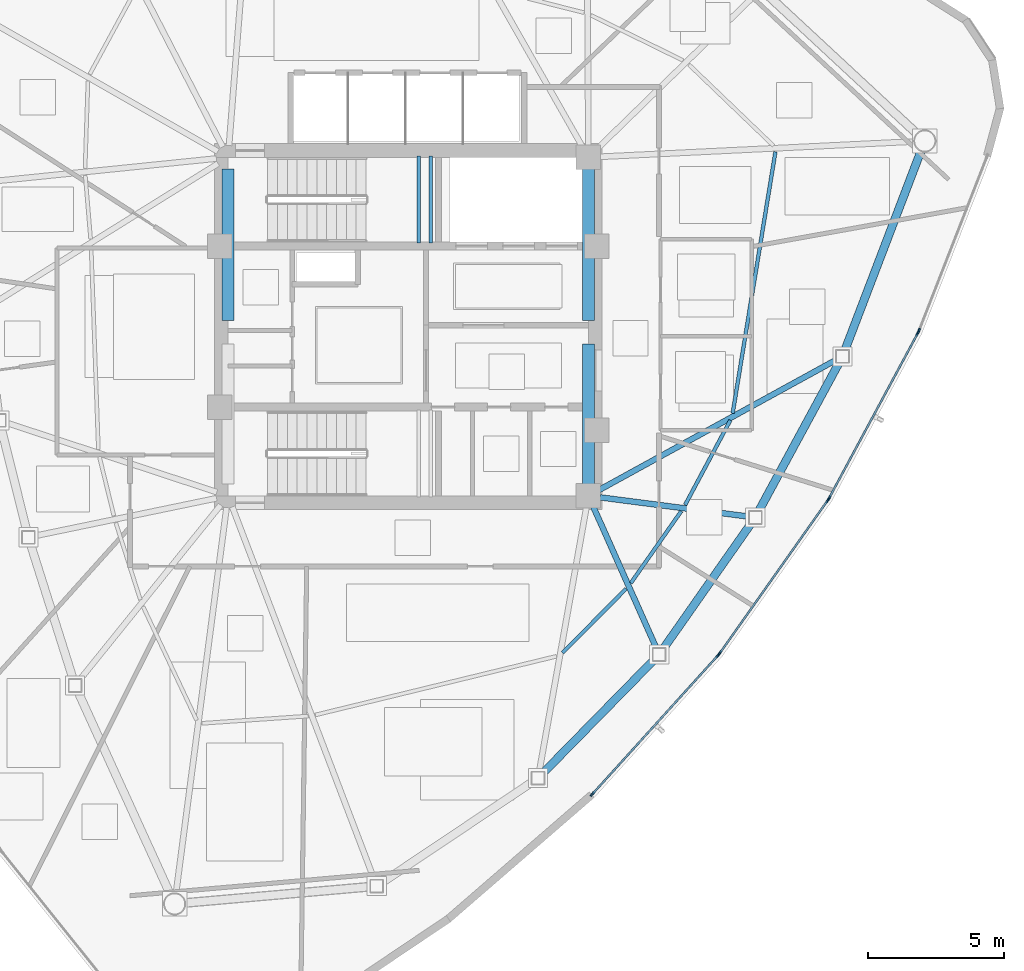
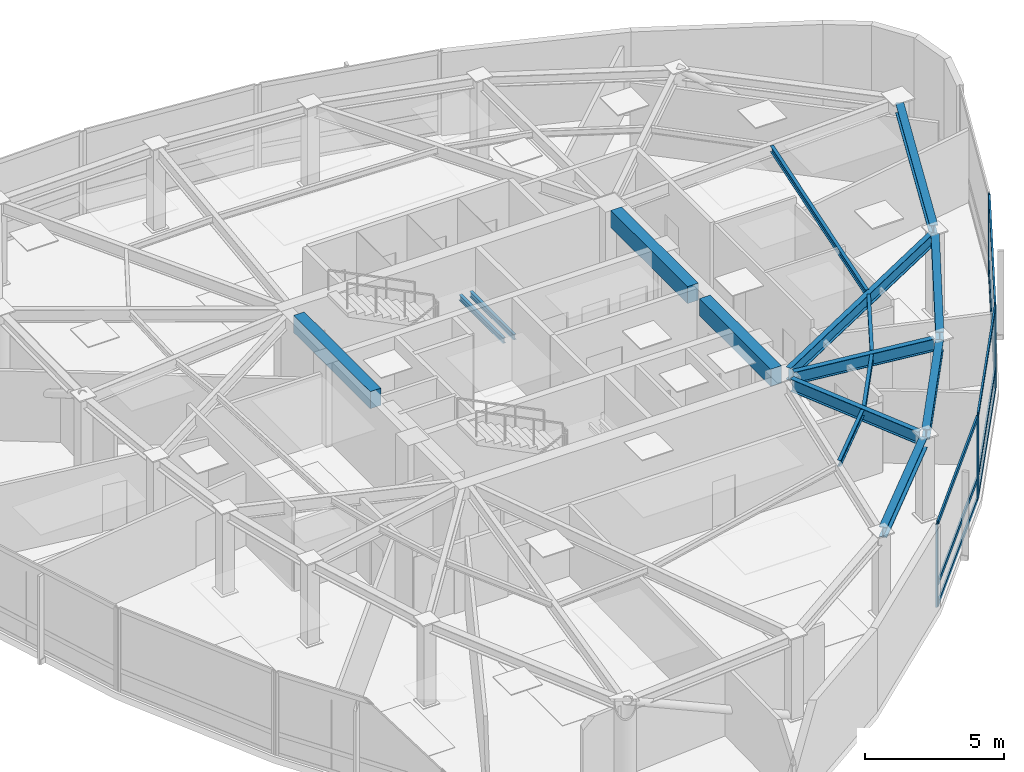
# One storey, part 4 of 14: 16 beams, 16 members, 4 elements without a shape of their own.
"""IFC4 building model written with IfcOpenShell, lengths in metres."""

from ifc_helpers import new_model, si_unit, direction, frame, origin, origin_2d, place, context, subcontext, project, spatial, rectangle, hollow_rectangle, i_section, extrude, source, transform, mapped, material, layer, layer_set, material_profile, profile_set, type_object, type_shapes, element, aggregate, save


model = new_model("IFC4")

# Units and contexts
model_context = context("Model", 3, precision=1e-05, world=origin(), true_north=direction((0.0, 1.0)))
body_context = subcontext(model_context, "Body", "Model", "MODEL_VIEW")
ifc_project = project(units=[si_unit("LENGTHUNIT", "METRE"), si_unit("AREAUNIT", "SQUARE_METRE"), si_unit("VOLUMEUNIT", "CUBIC_METRE"), si_unit("PLANEANGLEUNIT", "RADIAN"), si_unit("MASSUNIT", "GRAM", prefix="KILO")], contexts=[model_context])

# Site, building, storey
site_placement = place(None, origin())
site = spatial("IfcSite", under=ifc_project, at=site_placement, CompositionType="ELEMENT")
building_placement = place(site_placement, origin())
building = spatial("IfcBuilding", under=site, at=building_placement, Name="Tavelor Broadcast Tower", CompositionType="ELEMENT")
storey_placement = place(building_placement, frame((0.0, 0.0, 257.699951171875)))
storey = spatial("IfcBuildingStorey", under=building, at=storey_placement, Name="L61", CompositionType="ELEMENT", Elevation=257.699951171875)

# Beams
ifc_material_1 = material(Name="Concrete C40/50", Category="concrete")
ifc_material_profile_1 = material_profile(ifc_material_1, rectangle(XDim=0.449951171875, YDim=0.75, at=origin_2d()), Name="RC 450x750")
ifc_profile_set_1 = profile_set([ifc_material_profile_1], Name="Concrete C40/50")
beam_type_1 = type_object("IfcBeamType", Name="Basement Core Trim Beam 450x750", PredefinedType="BEAM", material=ifc_profile_set_1)
for number, where, z_axis, x_axis, name in (
    (1, (43.39990234375, 45.23193359375, 3.275146484375), (0.0, 1.0, 0.0), (-1.0, 0.0, 0.0), "L61 Core West-N Tie Girder"),
    (2, (56.60009765625, 45.23193359375, 3.275146484375), (0.0, 1.0, 0.0), (-1.0, 0.0, 0.0), "L61 Core East-N Tie Girder"),
):
    element("IfcBeam", number, at=place(storey_placement, frame(where, z_axis=z_axis, x_axis=x_axis)), inside=storey, type_object=beam_type_1, Name=name, PredefinedType="BEAM", context=body_context, shape_type="SweptSolid", body=[
        extrude(rectangle(XDim=0.449951171875, YDim=0.75, at=origin_2d()), origin(), (0.0, 0.0, 1.0), 5.5361328125),
    ])
beam_1_placement = place(storey_placement, frame((56.60009765625, 39.23193359375, 3.275146484375), z_axis=(0.0, 1.0, 0.0), x_axis=(-1.0, 0.0, 0.0)))
element("IfcBeam", 3, at=beam_1_placement, inside=storey, type_object=beam_type_1, Name="L61 Core East-S Tie Girder", PredefinedType="BEAM", context=body_context, shape_type="SweptSolid", body=[
    extrude(rectangle(XDim=0.449951171875, YDim=0.75, at=origin_2d()), origin(), (0.0, 0.0, 1.0), 5.135986328125),
])
ifc_material_2 = material(Name="Steel S355", Category="steel")
ifc_material_profile_2 = material_profile(ifc_material_2, i_section(OverallWidth=0.135009765625, OverallDepth=0.27001953125, WebThickness=0.006591796875, FlangeThickness=0.01025390625, at=origin_2d()), Name="IPE 270")
ifc_profile_set_2 = profile_set([ifc_material_profile_2], Name="Steel S355")
beam_type_2 = type_object("IfcBeamType", Name="Composite Floor Joist T6 IPE 270", PredefinedType="JOIST", material=ifc_profile_set_2)
beam_2_placement = place(storey_placement, frame((55.65087890625, 33.051025390625, 3.51513671875), z_axis=(0.704295844868, 0.709906587448, 0.0), x_axis=(-0.709906587448, 0.704295844868, 0.0)))
element("IfcBeam", 4, at=beam_2_placement, inside=storey, type_object=beam_type_2, Name="L61 Secondary Composite Floor Joist 09", PredefinedType="JOIST", context=body_context, shape_type="SweptSolid", body=[
    extrude(i_section(OverallWidth=0.135009765625, OverallDepth=0.27001953125, WebThickness=0.006591796875, FlangeThickness=0.01025390625, at=origin_2d()), origin(), (0.0, 0.0, 1.0), 3.306884765625),
])
beam_3_placement = place(storey_placement, frame((58.151611328125, 35.603759765625, 3.51513671875), z_axis=(0.574144058432, 0.818754297801, 0.0), x_axis=(-0.818754297801, 0.574144058432, 0.0)))
element("IfcBeam", 5, at=beam_3_placement, inside=storey, type_object=beam_type_2, Name="L61 Secondary Composite Floor Joist 10", PredefinedType="JOIST", context=body_context, shape_type="SweptSolid", body=[
    extrude(i_section(OverallWidth=0.135009765625, OverallDepth=0.27001953125, WebThickness=0.006591796875, FlangeThickness=0.01025390625, at=origin_2d()), origin(), (0.0, 0.0, 1.0), 3.2197265625),
])
beam_4_placement = place(storey_placement, frame((60.140625, 38.46826171875, 3.51513671875), z_axis=(0.471240390591, 0.882004815336, 0.0), x_axis=(-0.882004815336, 0.471240390591, 0.0)))
element("IfcBeam", 6, at=beam_4_placement, inside=storey, type_object=beam_type_2, Name="L61 Secondary Composite Floor Joist 11", PredefinedType="JOIST", context=body_context, shape_type="SweptSolid", body=[
    extrude(i_section(OverallWidth=0.135009765625, OverallDepth=0.27001953125, WebThickness=0.006591796875, FlangeThickness=0.01025390625, at=origin_2d()), origin(), (0.0, 0.0, 1.0), 3.51611328125),
])
beam_5_placement = place(storey_placement, frame((61.882568359375, 41.820556640625, 3.51513671875), z_axis=(0.161347849281, 0.986897599314, 0.0), x_axis=(-0.986897599314, 0.161347849281, 0.0)))
element("IfcBeam", 7, at=beam_5_placement, inside=storey, type_object=beam_type_2, Name="L61 Secondary Composite Floor Joist 12", PredefinedType="JOIST", context=body_context, shape_type="SweptSolid", body=[
    extrude(i_section(OverallWidth=0.135009765625, OverallDepth=0.27001953125, WebThickness=0.006591796875, FlangeThickness=0.01025390625, at=origin_2d()), origin(), (0.0, 0.0, 1.0), 9.708251953125),
])
ifc_material_profile_3 = material_profile(ifc_material_2, i_section(OverallWidth=0.300048828125, OverallDepth=0.449951171875, WebThickness=0.013916015625, FlangeThickness=0.02587890625, at=origin_2d()), Name="HEB 450")
ifc_profile_set_3 = profile_set([ifc_material_profile_3], Name="Steel S355")
beam_type_3 = type_object("IfcBeamType", Name="Perimeter Spandrel Beam T6 HEB 450", PredefinedType="SPANDREL", material=ifc_profile_set_3)
beam_6_placement = place(storey_placement, frame((54.922119140625, 28.6328125, 3.425048828125), z_axis=(0.700176807099, 0.713969494307, 0.0), x_axis=(-0.713969494307, 0.700176807099, 0.0)))
element("IfcBeam", 8, at=beam_6_placement, inside=storey, type_object=beam_type_3, Name="L61 Framed-Tube Ring Spandrel 09", PredefinedType="SPANDREL", context=body_context, shape_type="SweptSolid", body=[
    extrude(i_section(OverallWidth=0.300048828125, OverallDepth=0.449951171875, WebThickness=0.013916015625, FlangeThickness=0.02587890625, at=origin_2d()), origin(), (0.0, 0.0, 1.0), 5.85888671875),
])
beam_7_placement = place(storey_placement, frame((59.330078125, 33.18359375, 3.425048828125), z_axis=(0.57381017658, 0.81898832791, 0.0), x_axis=(-0.81898832791, 0.57381017658, 0.0)))
element("IfcBeam", 9, at=beam_7_placement, inside=storey, type_object=beam_type_3, Name="L61 Framed-Tube Ring Spandrel 10", PredefinedType="SPANDREL", context=body_context, shape_type="SweptSolid", body=[
    extrude(i_section(OverallWidth=0.300048828125, OverallDepth=0.449951171875, WebThickness=0.013916015625, FlangeThickness=0.02587890625, at=origin_2d()), origin(), (0.0, 0.0, 1.0), 5.652099609375),
])
beam_8_placement = place(storey_placement, frame((62.8251953125, 38.22021484375, 3.425048828125), z_axis=(0.47632985399, 0.879266666147, 0.0), x_axis=(-0.879266666147, 0.47632985399, 0.0)))
element("IfcBeam", 10, at=beam_8_placement, inside=storey, type_object=beam_type_3, Name="L61 Framed-Tube Ring Spandrel 11", PredefinedType="SPANDREL", context=body_context, shape_type="SweptSolid", body=[
    extrude(i_section(OverallWidth=0.300048828125, OverallDepth=0.449951171875, WebThickness=0.013916015625, FlangeThickness=0.02587890625, at=origin_2d()), origin(), (0.0, 0.0, 1.0), 6.23046875),
])
beam_9_placement = place(storey_placement, frame((65.992919921875, 44.133544921875, 3.425048828125), z_axis=(0.356694129759, 0.934221225297, 0.0), x_axis=(-0.934221225297, 0.356694129759, 0.0)))
element("IfcBeam", 11, at=beam_9_placement, inside=storey, type_object=beam_type_3, Name="L61 Framed-Tube Ring Spandrel 12", PredefinedType="SPANDREL", context=body_context, shape_type="SweptSolid", body=[
    extrude(i_section(OverallWidth=0.300048828125, OverallDepth=0.449951171875, WebThickness=0.013916015625, FlangeThickness=0.02587890625, at=origin_2d()), origin(), (0.0, 0.0, 1.0), 7.815185546875),
])
ifc_material_profile_4 = material_profile(ifc_material_2, i_section(OverallWidth=0.2099609375, OverallDepth=0.550048828125, WebThickness=0.010986328125, FlangeThickness=0.01708984375, at=origin_2d()), Name="IPE 550")
ifc_profile_set_4 = profile_set([ifc_material_profile_4], Name="Steel S355")
beam_type_4 = type_object("IfcBeamType", Name="Radial Floor Girder T6 IPE 550", PredefinedType="BEAM", material=ifc_profile_set_4)
beam_10_placement = place(storey_placement, frame((56.77587890625, 38.405517578125, 3.375), z_axis=(0.407288107578, -0.913299730333, 0.0), x_axis=(0.913299730333, 0.407288107578, 0.0)))
element("IfcBeam", 12, at=beam_10_placement, inside=storey, type_object=beam_type_4, Name="L61 Radial Primary Floor Girder 10", PredefinedType="BEAM", context=body_context, shape_type="SweptSolid", body=[
    extrude(i_section(OverallWidth=0.2099609375, OverallDepth=0.550048828125, WebThickness=0.010986328125, FlangeThickness=0.01708984375, at=origin_2d()), origin(), (0.0, 0.0, 1.0), 5.69287109375),
])
beam_11_placement = place(storey_placement, frame((57.0283203125, 38.74462890625, 3.375), z_axis=(0.991724434726, -0.128384755977, 0.0), x_axis=(0.128384755977, 0.991724434726, 0.0)))
element("IfcBeam", 13, at=beam_11_placement, inside=storey, type_object=beam_type_4, Name="L61 Radial Primary Floor Girder 11", PredefinedType="BEAM", context=body_context, shape_type="SweptSolid", body=[
    extrude(i_section(OverallWidth=0.2099609375, OverallDepth=0.550048828125, WebThickness=0.010986328125, FlangeThickness=0.01708984375, at=origin_2d()), origin(), (0.0, 0.0, 1.0), 5.489990234375),
])
beam_12_placement = place(storey_placement, frame((56.978759765625, 39.0078125, 3.375), z_axis=(0.876588297322, 0.481241059136, 0.0), x_axis=(-0.481241059136, 0.876588297322, 0.0)))
element("IfcBeam", 14, at=beam_12_placement, inside=storey, type_object=beam_type_4, Name="L61 Radial Primary Floor Girder 12", PredefinedType="BEAM", context=body_context, shape_type="SweptSolid", body=[
    extrude(i_section(OverallWidth=0.2099609375, OverallDepth=0.550048828125, WebThickness=0.010986328125, FlangeThickness=0.01708984375, at=origin_2d()), origin(), (0.0, 0.0, 1.0), 9.9453125),
])
ifc_material_profile_5 = material_profile(ifc_material_2, i_section(OverallWidth=0.1201171875, OverallDepth=0.239990234375, WebThickness=0.006103515625, FlangeThickness=0.009765625, at=origin_2d()), Name="IPE 240")
ifc_profile_set_5 = profile_set([ifc_material_profile_5], Name="Steel S355")
beam_type_5 = type_object("IfcBeamType", Name="Stairwell Landing Support Trimmer Beam IPE240", PredefinedType="BEAM", material=ifc_profile_set_5)
for number, where, z_axis, x_axis, name in (
    (15, (50.385009765625, 48.06005859375, 1.66015625), (0.0, 1.0, 0.0), (-1.0, 0.0, 0.0), "L61 Stair Landing Support Beam 163"),
    (16, (50.824951171875, 48.06005859375, 1.66015625), (0.0, 1.0, 0.0), (-1.0, 0.0, 0.0), "L61 Stair Landing Support Beam 164"),
):
    element("IfcBeam", number, at=place(storey_placement, frame(where, z_axis=z_axis, x_axis=x_axis)), inside=storey, type_object=beam_type_5, Name=name, PredefinedType="BEAM", context=body_context, shape_type="SweptSolid", body=[
        extrude(i_section(OverallWidth=0.1201171875, OverallDepth=0.239990234375, WebThickness=0.006103515625, FlangeThickness=0.009765625, at=origin_2d()), origin(), (0.0, 0.0, 1.0), 3.179931640625),
    ])

# Curtain wall, members
ifc_material_3 = material(Name="Architectural Anodized Aluminium", Category="aluminium")
ifc_layer = layer(ifc_material_3, 0.199951171875)
ifc_layer_set = layer_set([ifc_layer], Name="Architectural Anodized Aluminium")
curtain_wall_type = type_object("IfcCurtainWallType", Name="Tower High-Zone Triple-Glazed Curtain Wall CW04", PredefinedType="NOTDEFINED", material=ifc_layer_set)
curtain_wall_1_placement = place(storey_placement, origin())
curtain_wall_1 = element("IfcCurtainWall", 17, at=curtain_wall_1_placement, inside=storey, type_object=curtain_wall_type, Name="L61 Curtain Wall CW04 Run 665", PredefinedType="NOTDEFINED")
ifc_material_profile_6 = material_profile(ifc_material_3, hollow_rectangle(XDim=0.070068359375, YDim=0.199951171875, WallThickness=0.02197265625, at=origin_2d()), Name="RHS 70x200x22")
ifc_profile_set_6 = profile_set([ifc_material_profile_6], Name="Architectural Anodized Aluminium")
member_type_1 = type_object("IfcMemberType", Name="CW04 Extruded Aluminium Mullion 70x200", PredefinedType="MULLION", material=ifc_profile_set_6)
shared_shape_1 = source(origin(), body_context, "Body", "SweptSolid", [
    extrude(hollow_rectangle(XDim=0.070068359375, YDim=0.199951171875, WallThickness=0.02197265625, at=origin_2d()), origin(), (0.0, 0.0, 1.0), 3.650146484375),
])
type_shapes(member_type_1, [shared_shape_1])
member_1_placement = place(storey_placement, frame((56.740234375, 27.87255859375, 0.0), z_axis=(0.0, 0.0, 1.0), x_axis=(-0.741095922796, 0.671399160869, 0.0)))
member_1 = element("IfcMember", 18, at=member_1_placement, type_object=member_type_1, Name="CW04 mullion 1", PredefinedType="MULLION", context=body_context, shape_type="MappedRepresentation", body=[
    mapped(shared_shape_1, transform((0.0, 0.0, 0.0), scale=1.0)),
])
member_2_placement = place(storey_placement, frame((61.34912109375, 32.959716796875, 0.0), z_axis=(0.0, 0.0, 1.0), x_axis=(-0.741095922796, 0.671399160869, 0.0)))
member_2 = element("IfcMember", 19, at=member_2_placement, type_object=member_type_1, Name="CW04 mullion 2", PredefinedType="MULLION", context=body_context, shape_type="MappedRepresentation", body=[
    mapped(shared_shape_1, transform((0.0, 0.0, 0.0), scale=1.0)),
])

curtain_wall_2_placement = place(storey_placement, origin())
curtain_wall_2 = element("IfcCurtainWall", 20, at=curtain_wall_2_placement, inside=storey, type_object=curtain_wall_type, Name="L61 Curtain Wall CW04 Run 666", PredefinedType="NOTDEFINED")
member_3_placement = place(storey_placement, frame((61.411376953125, 33.03759765625, 0.0), z_axis=(0.0, 0.0, 1.0), x_axis=(-0.816899769591, 0.57677965155, 0.0)))
member_3 = element("IfcMember", 21, at=member_3_placement, type_object=member_type_1, Name="CW04 mullion 1", PredefinedType="MULLION", context=body_context, shape_type="MappedRepresentation", body=[
    mapped(shared_shape_1, transform((0.0, 0.0, 0.0), scale=1.0)),
])
member_4_placement = place(storey_placement, frame((65.362060546875, 38.6328125, 0.0), z_axis=(0.0, 0.0, 1.0), x_axis=(-0.816899769591, 0.57677965155, 0.0)))
member_4 = element("IfcMember", 22, at=member_4_placement, type_object=member_type_1, Name="CW04 mullion 2", PredefinedType="MULLION", context=body_context, shape_type="MappedRepresentation", body=[
    mapped(shared_shape_1, transform((0.0, 0.0, 0.0), scale=1.0)),
])

curtain_wall_3_placement = place(storey_placement, origin())
curtain_wall_3 = element("IfcCurtainWall", 23, at=curtain_wall_3_placement, inside=storey, type_object=curtain_wall_type, Name="L61 Curtain Wall CW04 Run 667", PredefinedType="NOTDEFINED")
member_5_placement = place(storey_placement, frame((65.41455078125, 38.717529296875, 0.0), z_axis=(0.0, 0.0, 1.0), x_axis=(-0.880686796969, 0.473699024324, 0.0)))
member_5 = element("IfcMember", 24, at=member_5_placement, type_object=member_type_1, Name="CW04 mullion 1", PredefinedType="MULLION", context=body_context, shape_type="MappedRepresentation", body=[
    mapped(shared_shape_1, transform((0.0, 0.0, 0.0), scale=1.0)),
])
member_6_placement = place(storey_placement, frame((68.658935546875, 44.749755859375, 0.0), z_axis=(0.0, 0.0, 1.0), x_axis=(-0.880686796969, 0.473699024324, 0.0)))
member_6 = element("IfcMember", 25, at=member_6_placement, type_object=member_type_1, Name="CW04 mullion 2", PredefinedType="MULLION", context=body_context, shape_type="MappedRepresentation", body=[
    mapped(shared_shape_1, transform((0.0, 0.0, 0.0), scale=1.0)),
])

# Curtain wall, member
curtain_wall_4_placement = place(storey_placement, origin())
curtain_wall_4 = element("IfcCurtainWall", 26, at=curtain_wall_4_placement, inside=storey, type_object=curtain_wall_type, Name="L61 Curtain Wall CW04 Run 668", PredefinedType="NOTDEFINED")
member_7_placement = place(storey_placement, frame((68.700927734375, 44.84033203125, 0.0), z_axis=(0.0, 0.0, 1.0), x_axis=(-0.931542002895, 0.363633739967, 0.0)))
member_7 = element("IfcMember", 27, at=member_7_placement, type_object=member_type_1, Name="CW04 mullion 1", PredefinedType="MULLION", context=body_context, shape_type="MappedRepresentation", body=[
    mapped(shared_shape_1, transform((0.0, 0.0, 0.0), scale=1.0)),
])
aggregate(curtain_wall_4, [member_7])

# Member
ifc_material_profile_7 = material_profile(ifc_material_3, hollow_rectangle(XDim=0.070068359375, YDim=0.199951171875, WallThickness=0.02197265625, at=origin_2d()), Name="RHS 70x200x22")
ifc_profile_set_7 = profile_set([ifc_material_profile_7], Name="Architectural Anodized Aluminium")
member_type_2 = type_object("IfcMemberType", Name="CW04 Extruded Aluminium Transom 70x200", PredefinedType="USERDEFINED", material=ifc_profile_set_7)
shared_shape_2 = source(origin(), body_context, "Body", "SweptSolid", [
    extrude(hollow_rectangle(XDim=0.070068359375, YDim=0.199951171875, WallThickness=0.02197265625, at=origin_2d()), origin(), (0.0, 0.0, 1.0), 6.79443359375),
])
member_8_placement = place(storey_placement, frame((56.763916015625, 27.8984375, 0.03515625), z_axis=(0.671373290328, 0.741119359506, 0.0), x_axis=(-0.741119359506, 0.671373290328, 0.0)))
member_8 = element("IfcMember", 28, at=member_8_placement, type_object=member_type_2, Name="CW04 transom 1.1", ObjectType="TRANSOM", PredefinedType="USERDEFINED", context=body_context, shape_type="MappedRepresentation", body=[
    mapped(shared_shape_2, transform((0.0, 0.0, 0.0), scale=1.0)),
])

member_9_placement = place(storey_placement, frame((56.763916015625, 27.8984375, 0.949951171875), z_axis=(0.671373290328, 0.741119359506, 0.0), x_axis=(-0.741119359506, 0.671373290328, 0.0)))
member_9 = element("IfcMember", 29, at=member_9_placement, type_object=member_type_2, Name="CW04 transom 1.2", ObjectType="TRANSOM", PredefinedType="USERDEFINED", context=body_context, shape_type="MappedRepresentation", body=[
    mapped(shared_shape_2, transform((0.0, 0.0, 0.0), scale=1.0)),
])

member_10_placement = place(storey_placement, frame((56.763916015625, 27.8984375, 3.614990234375), z_axis=(0.671373290328, 0.741119359506, 0.0), x_axis=(-0.741119359506, 0.671373290328, 0.0)))
member_10 = element("IfcMember", 30, at=member_10_placement, type_object=member_type_2, Name="CW04 transom 1.3", ObjectType="TRANSOM", PredefinedType="USERDEFINED", context=body_context, shape_type="MappedRepresentation", body=[
    mapped(shared_shape_2, transform((0.0, 0.0, 0.0), scale=1.0)),
])

aggregate(curtain_wall_1, [member_1, member_2, member_8, member_9, member_10])

shared_shape_3 = source(origin(), body_context, "Body", "SweptSolid", [
    extrude(hollow_rectangle(XDim=0.070068359375, YDim=0.199951171875, WallThickness=0.02197265625, at=origin_2d()), origin(), (0.0, 0.0, 1.0), 6.779296875),
])
type_shapes(member_type_2, [shared_shape_2, shared_shape_3])
member_11_placement = place(storey_placement, frame((61.431640625, 33.066162109375, 0.03515625), z_axis=(0.57677368235, 0.816903984167, 0.0), x_axis=(-0.816903984167, 0.57677368235, 0.0)))
member_11 = element("IfcMember", 31, at=member_11_placement, type_object=member_type_2, Name="CW04 transom 1.1", ObjectType="TRANSOM", PredefinedType="USERDEFINED", context=body_context, shape_type="MappedRepresentation", body=[
    mapped(shared_shape_3, transform((0.0, 0.0, 0.0), scale=1.0)),
])

member_12_placement = place(storey_placement, frame((61.431640625, 33.066162109375, 0.949951171875), z_axis=(0.57677368235, 0.816903984167, 0.0), x_axis=(-0.816903984167, 0.57677368235, 0.0)))
member_12 = element("IfcMember", 32, at=member_12_placement, type_object=member_type_2, Name="CW04 transom 1.2", ObjectType="TRANSOM", PredefinedType="USERDEFINED", context=body_context, shape_type="MappedRepresentation", body=[
    mapped(shared_shape_3, transform((0.0, 0.0, 0.0), scale=1.0)),
])

member_13_placement = place(storey_placement, frame((61.431640625, 33.066162109375, 3.614990234375), z_axis=(0.57677368235, 0.816903984167, 0.0), x_axis=(-0.816903984167, 0.57677368235, 0.0)))
member_13 = element("IfcMember", 33, at=member_13_placement, type_object=member_type_2, Name="CW04 transom 1.3", ObjectType="TRANSOM", PredefinedType="USERDEFINED", context=body_context, shape_type="MappedRepresentation", body=[
    mapped(shared_shape_3, transform((0.0, 0.0, 0.0), scale=1.0)),
])

aggregate(curtain_wall_2, [member_3, member_4, member_11, member_12, member_13])

member_14_placement = place(storey_placement, frame((65.43115234375, 38.74853515625, 0.03515625), z_axis=(0.473678846398, 0.880697649864, 0.0), x_axis=(-0.880697649864, 0.473678846398, 0.0)))
member_14 = element("IfcMember", 34, at=member_14_placement, type_object=member_type_2, Name="CW04 transom 1.1", ObjectType="TRANSOM", PredefinedType="USERDEFINED", context=body_context, shape_type="MappedRepresentation", body=[
    mapped(shared_shape_3, transform((0.0, 0.0, 0.0), scale=1.0)),
])

member_15_placement = place(storey_placement, frame((65.43115234375, 38.74853515625, 0.949951171875), z_axis=(0.473678846398, 0.880697649864, 0.0), x_axis=(-0.880697649864, 0.473678846398, 0.0)))
member_15 = element("IfcMember", 35, at=member_15_placement, type_object=member_type_2, Name="CW04 transom 1.2", ObjectType="TRANSOM", PredefinedType="USERDEFINED", context=body_context, shape_type="MappedRepresentation", body=[
    mapped(shared_shape_3, transform((0.0, 0.0, 0.0), scale=1.0)),
])

member_16_placement = place(storey_placement, frame((65.43115234375, 38.74853515625, 3.614990234375), z_axis=(0.473678846398, 0.880697649864, 0.0), x_axis=(-0.880697649864, 0.473678846398, 0.0)))
member_16 = element("IfcMember", 36, at=member_16_placement, type_object=member_type_2, Name="CW04 transom 1.3", ObjectType="TRANSOM", PredefinedType="USERDEFINED", context=body_context, shape_type="MappedRepresentation", body=[
    mapped(shared_shape_3, transform((0.0, 0.0, 0.0), scale=1.0)),
])

aggregate(curtain_wall_3, [member_5, member_6, member_14, member_15, member_16])

save(model, "model.ifc")
